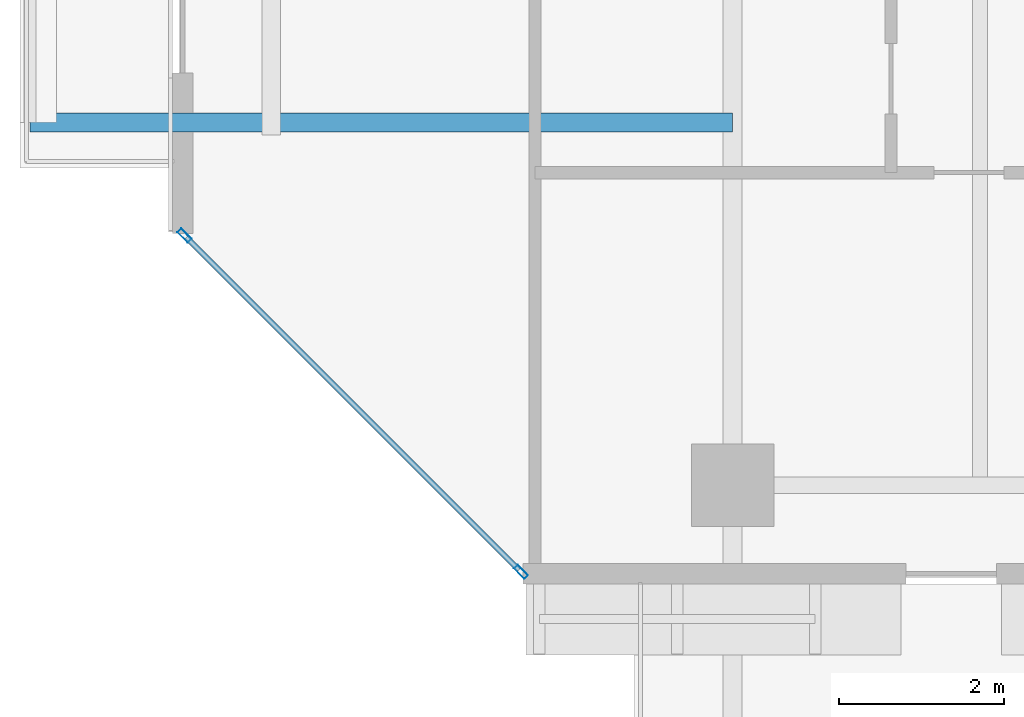
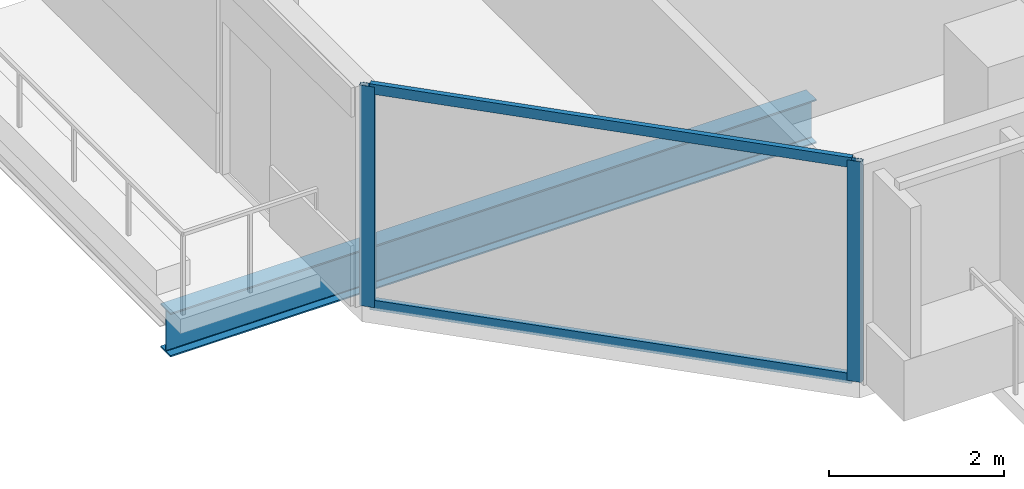
# One storey, part 2 of 33: 4 members, 1 beam, 1 element without a shape of its own.
"""IFC4 building model written with IfcOpenShell, lengths in metres."""

from ifc_helpers import new_model, si_unit, direction, frame, origin, origin_2d, place, context, subcontext, project, spatial, hollow_rectangle, i_section, extrude, material, layer, layer_set, material_profile, profile_set, type_object, element, aggregate, save


model = new_model("IFC4")

# Units and contexts
model_context = context("Model", 3, precision=1e-05, world=origin(), true_north=direction((0.0, 1.0)))
body_context = subcontext(model_context, "Body", "Model", "MODEL_VIEW")
ifc_project = project(units=[si_unit("LENGTHUNIT", "METRE"), si_unit("AREAUNIT", "SQUARE_METRE"), si_unit("VOLUMEUNIT", "CUBIC_METRE"), si_unit("PLANEANGLEUNIT", "RADIAN"), si_unit("MASSUNIT", "GRAM", prefix="KILO")], contexts=[model_context])

# Site, building, storey
site_placement = place(None, origin())
site = spatial("IfcSite", under=ifc_project, at=site_placement, CompositionType="ELEMENT")
building_placement = place(site_placement, origin())
building = spatial("IfcBuilding", under=site, at=building_placement, Name="Tanjung Sevakor Pilgrim Tower", CompositionType="ELEMENT")
storey_placement = place(building_placement, frame((0.0, 0.0, 95.3701171875)))
storey = spatial("IfcBuildingStorey", under=building, at=storey_placement, Name="L26", CompositionType="ELEMENT", Elevation=95.3701171875)

# Beam
ifc_material_1 = material(Name="Steel S355J2", Category="steel")
ifc_material_profile_1 = material_profile(ifc_material_1, i_section(OverallWidth=0.22900390625, OverallDepth=0.6123046875, WebThickness=0.011962890625, FlangeThickness=0.01953125, FilletRadius=0.0126953125, at=origin_2d()))
ifc_profile_set_1 = profile_set([ifc_material_profile_1], Name="Steel S355J2")
beam_type = type_object("IfcBeamType", Name="BM-B-G4-UB_610x229x125", PredefinedType="BEAM", material=ifc_profile_set_1)
beam_placement = place(storey_placement, frame((24.0, 15.199951171875, -0.526123046875), z_axis=(-1.0, 0.0, 0.0), x_axis=(0.0, -1.0, 0.0)))
element("IfcBeam", 1, at=beam_placement, inside=storey, type_object=beam_type, Name="L26 Balcony Overhanging Beam MAIN-W1-1", PredefinedType="BEAM", context=body_context, shape_type="SweptSolid", body=[
    extrude(i_section(OverallWidth=0.22900390625, OverallDepth=0.6123046875, WebThickness=0.011962890625, FlangeThickness=0.01953125, FilletRadius=0.0126953125, at=origin_2d()), origin(), (0.0, 0.0, 1.0), 8.530029296875),
])

# Curtain wall, members
ifc_material_2 = material(Name="Aluminium 6063-T6 and Low-E Glass", Category="aluminium")
ifc_layer = layer(ifc_material_2, 0.179931640625)
ifc_layer_set = layer_set([ifc_layer], Name="CW-SYS-CHAM")
curtain_wall_type = type_object("IfcCurtainWallType", Name="CW-SYS-CHAM", PredefinedType="NOTDEFINED", material=ifc_layer_set)
curtain_wall_placement = place(storey_placement, origin())
curtain_wall = element("IfcCurtainWall", 2, at=curtain_wall_placement, inside=storey, type_object=curtain_wall_type, Name="L26 Curtain Wall CW-CHM-L26-MAIN-15", PredefinedType="NOTDEFINED")
ifc_material_3 = material(Name="Aluminium 6063-T6", Category="aluminium")
ifc_material_profile_2 = material_profile(ifc_material_3, hollow_rectangle(XDim=0.06494140625, YDim=0.179931640625, WallThickness=0.00390625, at=origin_2d()))
ifc_profile_set_2 = profile_set([ifc_material_profile_2], Name="Aluminium 6063-T6")
member_type_1 = type_object("IfcMemberType", Name="TYPE-CWM-1", PredefinedType="MULLION", material=ifc_profile_set_2)
member_1_placement = place(storey_placement, frame((17.347900390625, 13.828857421875, 0.0), z_axis=(0.0, 0.0, 1.0), x_axis=(0.707106781187, 0.707106781187, 0.0)))
member_1 = element("IfcMember", 3, at=member_1_placement, type_object=member_type_1, Name="CW-CHM mullion 1", PredefinedType="MULLION", context=body_context, shape_type="SweptSolid", body=[
    extrude(hollow_rectangle(XDim=0.06494140625, YDim=0.179931640625, WallThickness=0.00390625, at=origin_2d()), origin(), (0.0, 0.0, 1.0), 3.079833984375),
])
member_2_placement = place(storey_placement, frame((21.4287109375, 9.748046875, 0.0), z_axis=(0.0, 0.0, 1.0), x_axis=(0.707106781187, 0.707106781187, 0.0)))
member_2 = element("IfcMember", 4, at=member_2_placement, type_object=member_type_1, Name="CW-CHM mullion 2", PredefinedType="MULLION", context=body_context, shape_type="SweptSolid", body=[
    extrude(hollow_rectangle(XDim=0.06494140625, YDim=0.179931640625, WallThickness=0.00390625, at=origin_2d()), origin(), (0.0, 0.0, 1.0), 3.079833984375),
])
ifc_material_4 = material(Name="Aluminium 6063-T6", Category="aluminium")
ifc_material_profile_3 = material_profile(ifc_material_4, hollow_rectangle(XDim=0.06494140625, YDim=0.139892578125, WallThickness=0.00390625, at=origin_2d()))
ifc_profile_set_3 = profile_set([ifc_material_profile_3], Name="Aluminium 6063-T6")
member_type_2 = type_object("IfcMemberType", Name="TYPE-CWT-1", PredefinedType="USERDEFINED", material=ifc_profile_set_3)
member_3_placement = place(storey_placement, frame((17.370849609375, 13.805908203125, 0.032470703125), z_axis=(0.707106781187, -0.707106781187, 0.0), x_axis=(0.707106781187, 0.707106781187, 0.0)))
member_3 = element("IfcMember", 5, at=member_3_placement, type_object=member_type_2, Name="CW-CHM transom 1.1", ObjectType="TRANSOM", PredefinedType="USERDEFINED", context=body_context, shape_type="SweptSolid", body=[
    extrude(hollow_rectangle(XDim=0.06494140625, YDim=0.139892578125, WallThickness=0.00390625, at=origin_2d()), origin(), (0.0, 0.0, 1.0), 5.706298828125),
])
member_4_placement = place(storey_placement, frame((17.370849609375, 13.805908203125, 3.04736328125), z_axis=(0.707106781187, -0.707106781187, 0.0), x_axis=(0.707106781187, 0.707106781187, 0.0)))
member_4 = element("IfcMember", 6, at=member_4_placement, type_object=member_type_2, Name="CW-CHM transom 1.2", ObjectType="TRANSOM", PredefinedType="USERDEFINED", context=body_context, shape_type="SweptSolid", body=[
    extrude(hollow_rectangle(XDim=0.06494140625, YDim=0.139892578125, WallThickness=0.00390625, at=origin_2d()), origin(), (0.0, 0.0, 1.0), 5.706298828125),
])
aggregate(curtain_wall, [member_1, member_2, member_3, member_4])

save(model, "model.ifc")
